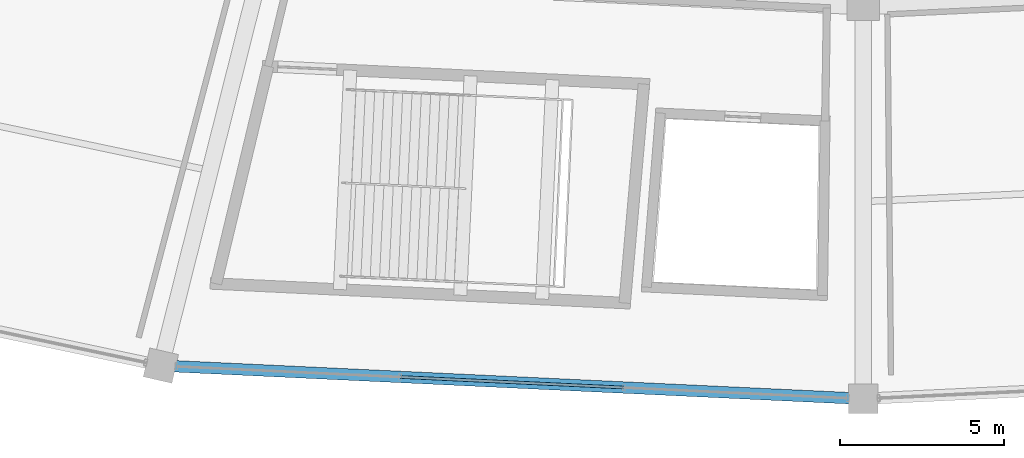
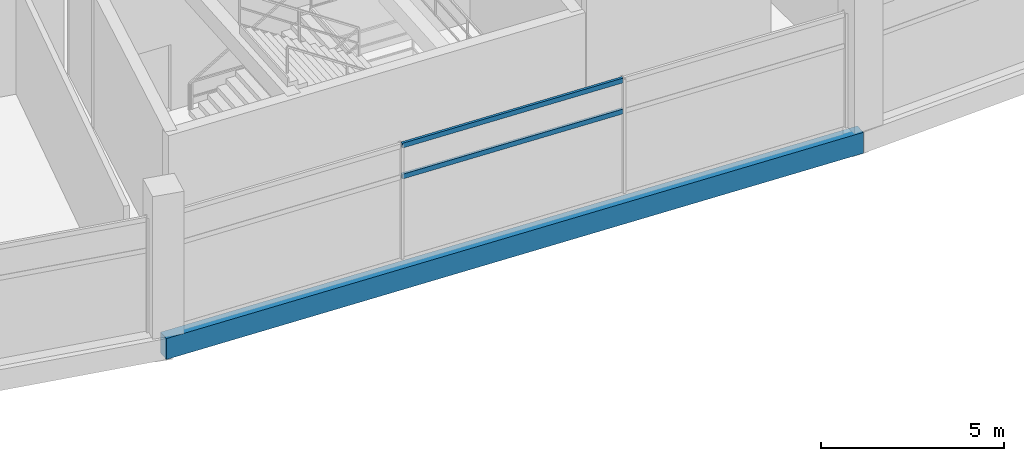
# One storey, part 18 of 171: 2 members, 1 beam, 1 element without a shape of its own.
"""IFC4 building model written with IfcOpenShell, lengths in metres."""

from ifc_helpers import new_model, si_unit, direction, frame, origin, origin_2d, place, context, subcontext, project, spatial, rectangle, hollow_rectangle, extrude, material, layer, layer_set, material_profile, profile_set, type_object, element, aggregate, save


model = new_model("IFC4")

# Units and contexts
model_context = context("Model", 3, precision=1e-05, world=origin(), true_north=direction((0.0, 1.0)))
body_context = subcontext(model_context, "Body", "Model", "MODEL_VIEW")
ifc_project = project(units=[si_unit("LENGTHUNIT", "METRE"), si_unit("AREAUNIT", "SQUARE_METRE"), si_unit("VOLUMEUNIT", "CUBIC_METRE"), si_unit("PLANEANGLEUNIT", "RADIAN"), si_unit("MASSUNIT", "GRAM", prefix="KILO")], contexts=[model_context])

# Site, building, storey
site_placement = place(None, origin())
site = spatial("IfcSite", under=ifc_project, at=site_placement, CompositionType="ELEMENT")
building_placement = place(site_placement, origin())
building = spatial("IfcBuilding", under=site, at=building_placement, Name="Kazemori Nagisa Stadium", CompositionType="ELEMENT")
storey_placement = place(building_placement, frame((0.0, 0.0, 15.639892578125)))
storey = spatial("IfcBuildingStorey", under=building, at=storey_placement, Name="L03", CompositionType="ELEMENT", Elevation=15.639892578125)

# Beam
ifc_material_1 = material(Name="Concrete C40/50 (Fc42)", Category="concrete")
ifc_material_profile_1 = material_profile(ifc_material_1, rectangle(XDim=0.35009765625, YDim=0.699951171875, at=origin_2d()), Name="RC-SP-350x700")
ifc_profile_set_1 = profile_set([ifc_material_profile_1], Name="Concrete C40/50 (Fc42)")
beam_type = type_object("IfcBeamType", Name="Beam_BS-RC350X700", PredefinedType="SPANDREL", material=ifc_profile_set_1)
beam_placement = place(storey_placement, frame((101.572265625, 17.01318359375, -0.60986328125), z_axis=(0.998883994571, -0.047230979144, 0.0), x_axis=(0.047230979144, 0.998883994571, 0.0)))
element("IfcBeam", 1, at=beam_placement, inside=storey, type_object=beam_type, Name="Ring girder BS-RC350X700 L03 R3-21", PredefinedType="SPANDREL", context=body_context, shape_type="SweptSolid", body=[
    extrude(rectangle(XDim=0.35009765625, YDim=0.699951171875, at=origin_2d()), origin(), (0.0, 0.0, 1.0), 21.45166015625),
])

# Curtain wall, members
ifc_material_2 = material(Name="Anodised aluminium 6063-T5", Category="aluminium")
ifc_layer = layer(ifc_material_2, 0.2099609375, Name="Anodised aluminium 6063-T5", Category="aluminium")
ifc_layer_set = layer_set([ifc_layer], Name="Anodised aluminium 6063-T5")
curtain_wall_type = type_object("IfcCurtainWallType", Name="CW_L03R3_103", PredefinedType="USERDEFINED", material=ifc_layer_set)
curtain_wall_placement = place(storey_placement, origin())
curtain_wall = element("IfcCurtainWall", 2, at=curtain_wall_placement, inside=storey, type_object=curtain_wall_type, Name="Unitised curtain wall CW-L03R3-103 L03", ObjectType="UNITISED CURTAIN WALL", PredefinedType="USERDEFINED")
ifc_material_3 = material(Name="Aluminium 6063-T5 anodised", Category="aluminium")
ifc_material_profile_2 = material_profile(ifc_material_3, hollow_rectangle(XDim=0.080078125, YDim=0.159912109375, WallThickness=0.00390625, at=origin_2d()), Name="ALU-TRAN-80x160x4")
ifc_profile_set_2 = profile_set([ifc_material_profile_2], Name="Aluminium 6063-T5 anodised")
member_type = type_object("IfcMemberType", Name="Transom_T02", PredefinedType="USERDEFINED", material=ifc_profile_set_2)
member_1_placement = place(storey_placement, frame((108.89306640625, 16.6669921875, 2.705322265625), z_axis=(0.998884501545, -0.047220255973, 0.0), x_axis=(0.047220255973, 0.998884501545, 0.0)))
member_1 = element("IfcMember", 3, at=member_1_placement, type_object=member_type, Name="Curtain wall transom CW-L03R3-103-T2-mid", ObjectType="TRANSOM", PredefinedType="USERDEFINED", context=body_context, shape_type="SweptSolid", body=[
    extrude(hollow_rectangle(XDim=0.080078125, YDim=0.159912109375, WallThickness=0.00390625, at=origin_2d()), origin(), (0.0, 0.0, 1.0), 6.793701171875),
])
member_2_placement = place(storey_placement, frame((108.89306640625, 16.6669921875, 3.739990234375), z_axis=(0.998884501545, -0.047220255973, 0.0), x_axis=(0.047220255973, 0.998884501545, 0.0)))
member_2 = element("IfcMember", 4, at=member_2_placement, type_object=member_type, Name="Curtain wall transom CW-L03R3-103-T2-head", ObjectType="TRANSOM", PredefinedType="USERDEFINED", context=body_context, shape_type="SweptSolid", body=[
    extrude(hollow_rectangle(XDim=0.080078125, YDim=0.159912109375, WallThickness=0.00390625, at=origin_2d()), origin(), (0.0, 0.0, 1.0), 6.793701171875),
])
aggregate(curtain_wall, [member_1, member_2])

save(model, "model.ifc")
